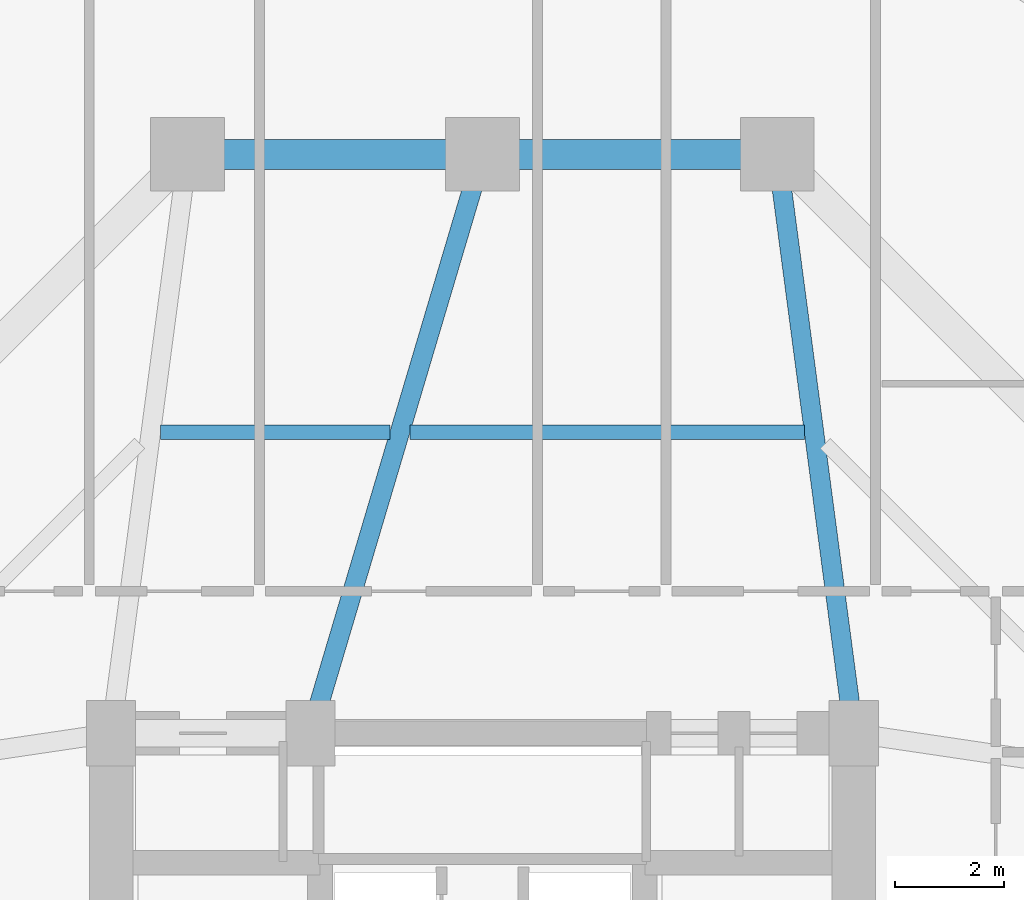
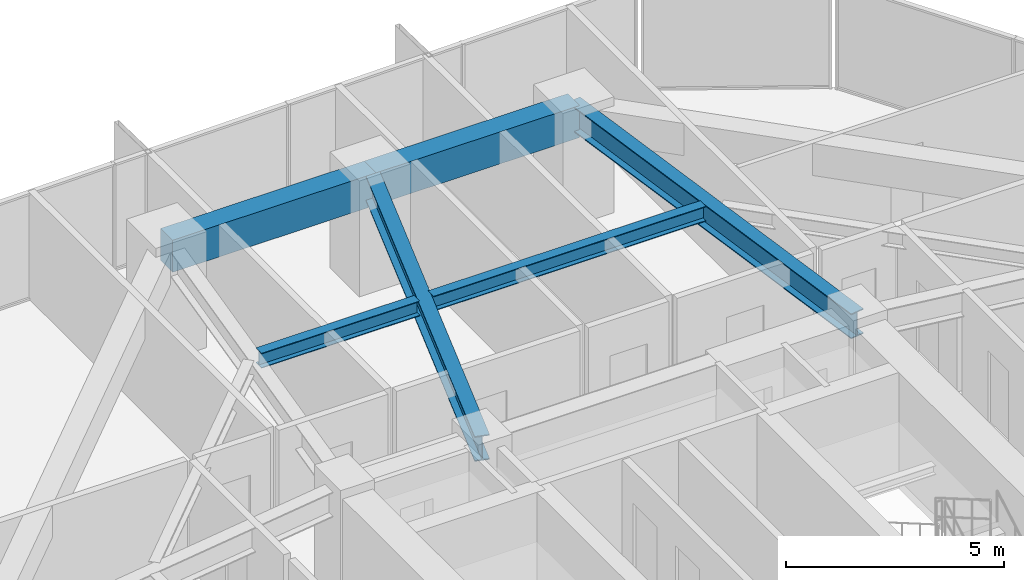
# One storey, part 26 of 39: 6 beams.
"""IFC4 building model written with IfcOpenShell, lengths in metres."""

from ifc_helpers import new_model, si_unit, direction, frame, origin, origin_2d, place, context, subcontext, project, spatial, rectangle, i_section, extrude, material, material_profile, profile_set, type_object, element, save


model = new_model("IFC4")

# Units and contexts
model_context = context("Model", 3, precision=1e-05, world=origin(), true_north=direction((0.0, 1.0)))
body_context = subcontext(model_context, "Body", "Model", "MODEL_VIEW")
ifc_project = project(units=[si_unit("LENGTHUNIT", "METRE"), si_unit("AREAUNIT", "SQUARE_METRE"), si_unit("VOLUMEUNIT", "CUBIC_METRE"), si_unit("PLANEANGLEUNIT", "RADIAN"), si_unit("MASSUNIT", "GRAM", prefix="KILO")], contexts=[model_context])

# Site, building, storey
site_placement = place(None, origin())
site = spatial("IfcSite", under=ifc_project, at=site_placement, CompositionType="ELEMENT")
building_placement = place(site_placement, origin())
building = spatial("IfcBuilding", under=site, at=building_placement, Name="Veraguas Prism Commons", CompositionType="ELEMENT")
storey_placement = place(building_placement, frame((0.0, 0.0, 27.300048828125)))
storey = spatial("IfcBuildingStorey", under=building, at=storey_placement, Name="L06", CompositionType="ELEMENT", Elevation=27.300048828125)

# Beams
ifc_material_1 = material(Name="Steel ASTM A992 Grade 50", Category="steel")
ifc_material_profile_1 = material_profile(ifc_material_1, i_section(OverallWidth=0.260986328125, OverallDepth=0.419921875, WebThickness=0.01171875, FlangeThickness=0.019287109375, at=origin_2d()), Name="W410X114")
ifc_profile_set_1 = profile_set([ifc_material_profile_1], Name="Steel ASTM A992 Grade 50")
beam_type_1 = type_object("IfcBeamType", Name="Lower Floor Joist W410x114", PredefinedType="JOIST", material=ifc_profile_set_1)
beam_1_placement = place(storey_placement, frame((29.89453125, 36.511962890625, 2.7900390625), z_axis=(-1.0, 0.0, 0.0), x_axis=(0.0, -1.0, 0.0)))
element("IfcBeam", 1, at=beam_1_placement, inside=storey, type_object=beam_type_1, Name="Composite Floor Joist L06-JS04", PredefinedType="JOIST", context=body_context, shape_type="SweptSolid", body=[
    extrude(i_section(OverallWidth=0.260986328125, OverallDepth=0.419921875, WebThickness=0.01171875, FlangeThickness=0.019287109375, at=origin_2d()), origin(), (0.0, 0.0, 1.0), 7.222900390625),
])
beam_2_placement = place(storey_placement, frame((22.304443359375, 36.511962890625, 2.7900390625), z_axis=(-1.0, 0.0, 0.0), x_axis=(0.0, -1.0, 0.0)))
element("IfcBeam", 2, at=beam_2_placement, inside=storey, type_object=beam_type_1, Name="Composite Floor Joist L06-JS05", PredefinedType="JOIST", context=body_context, shape_type="SweptSolid", body=[
    extrude(i_section(OverallWidth=0.260986328125, OverallDepth=0.419921875, WebThickness=0.01171875, FlangeThickness=0.019287109375, at=origin_2d()), origin(), (0.0, 0.0, 1.0), 4.198974609375),
])
ifc_material_2 = material(Name="Concrete C50/60", Category="concrete")
ifc_material_profile_2 = material_profile(ifc_material_2, rectangle(XDim=0.550048828125, YDim=0.89990234375, at=origin_2d()), Name="RC550X900")
ifc_profile_set_2 = profile_set([ifc_material_profile_2], Name="Concrete C50/60")
beam_type_2 = type_object("IfcBeamType", Name="Perimeter Spandrel Lower RC 550x900", PredefinedType="SPANDREL", material=ifc_profile_set_2)
for number, where, z_axis, x_axis, name in (
    (3, (29.39990234375, 41.60009765625, 2.550048828125), (-1.0, 0.0, 0.0), (0.0, -1.0, 0.0), "Perimeter Spandrel Beam L06-SP04"),
    (4, (24.0, 41.60009765625, 2.550048828125), (-1.0, 0.0, 0.0), (0.0, -1.0, 0.0), "Perimeter Spandrel Beam L06-SP05"),
):
    element("IfcBeam", number, at=place(storey_placement, frame(where, z_axis=z_axis, x_axis=x_axis)), inside=storey, type_object=beam_type_2, Name=name, PredefinedType="SPANDREL", context=body_context, shape_type="SweptSolid", body=[
        extrude(rectangle(XDim=0.550048828125, YDim=0.89990234375, at=origin_2d()), origin(), (0.0, 0.0, 1.0), 5.39990234375),
    ])
ifc_material_profile_3 = material_profile(ifc_material_1, i_section(OverallWidth=0.35595703125, OverallDepth=0.700927734375, WebThickness=0.016845703125, FlangeThickness=0.02734375, at=origin_2d()), Name="W690X240")
ifc_profile_set_3 = profile_set([ifc_material_profile_3], Name="Steel ASTM A992 Grade 50")
beam_type_3 = type_object("IfcBeamType", Name="Zone 1 Radial Girder W690x240", PredefinedType="BEAM", material=ifc_profile_set_3)
beam_3_placement = place(storey_placement, frame((29.39990234375, 41.60009765625, 2.6494140625), z_axis=(0.130950648891, -0.991388888154, 0.0), x_axis=(0.991388888154, 0.130950648891, 0.0)))
element("IfcBeam", 5, at=beam_3_placement, inside=storey, type_object=beam_type_3, Name="Radial Floor Girder L06-RD04", PredefinedType="BEAM", context=body_context, shape_type="SweptSolid", body=[
    extrude(i_section(OverallWidth=0.35595703125, OverallDepth=0.700927734375, WebThickness=0.016845703125, FlangeThickness=0.02734375, at=origin_2d()), origin(), (0.0, 0.0, 1.0), 10.692138671875),
])
beam_4_placement = place(storey_placement, frame((24.0, 41.60009765625, 2.6494140625), z_axis=(-0.28484745997, -0.958572858237, 0.0), x_axis=(0.958572858237, -0.28484745997, 0.0)))
element("IfcBeam", 6, at=beam_4_placement, inside=storey, type_object=beam_type_3, Name="Radial Floor Girder L06-RD05", PredefinedType="BEAM", context=body_context, shape_type="SweptSolid", body=[
    extrude(i_section(OverallWidth=0.35595703125, OverallDepth=0.700927734375, WebThickness=0.016845703125, FlangeThickness=0.02734375, at=origin_2d()), origin(), (0.0, 0.0, 1.0), 11.05810546875),
])

save(model, "model.ifc")
